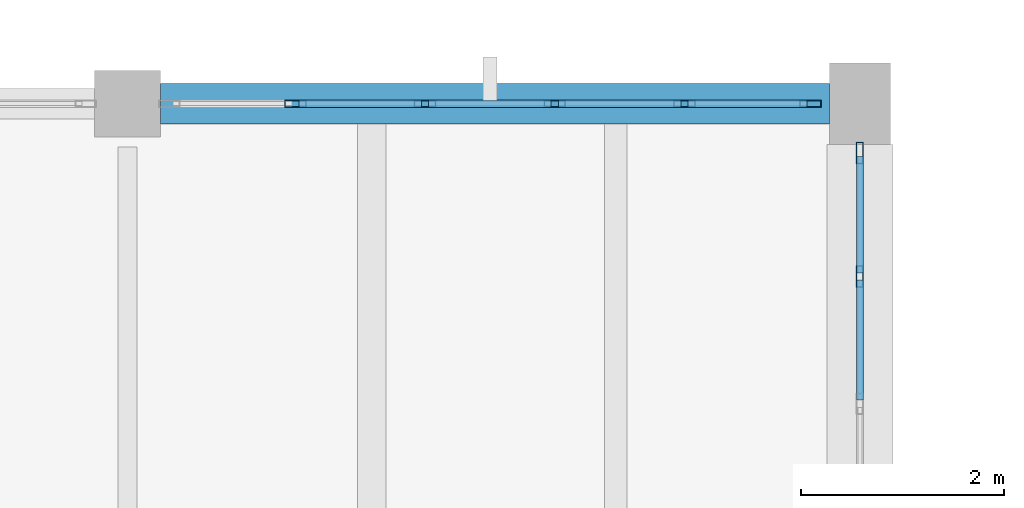
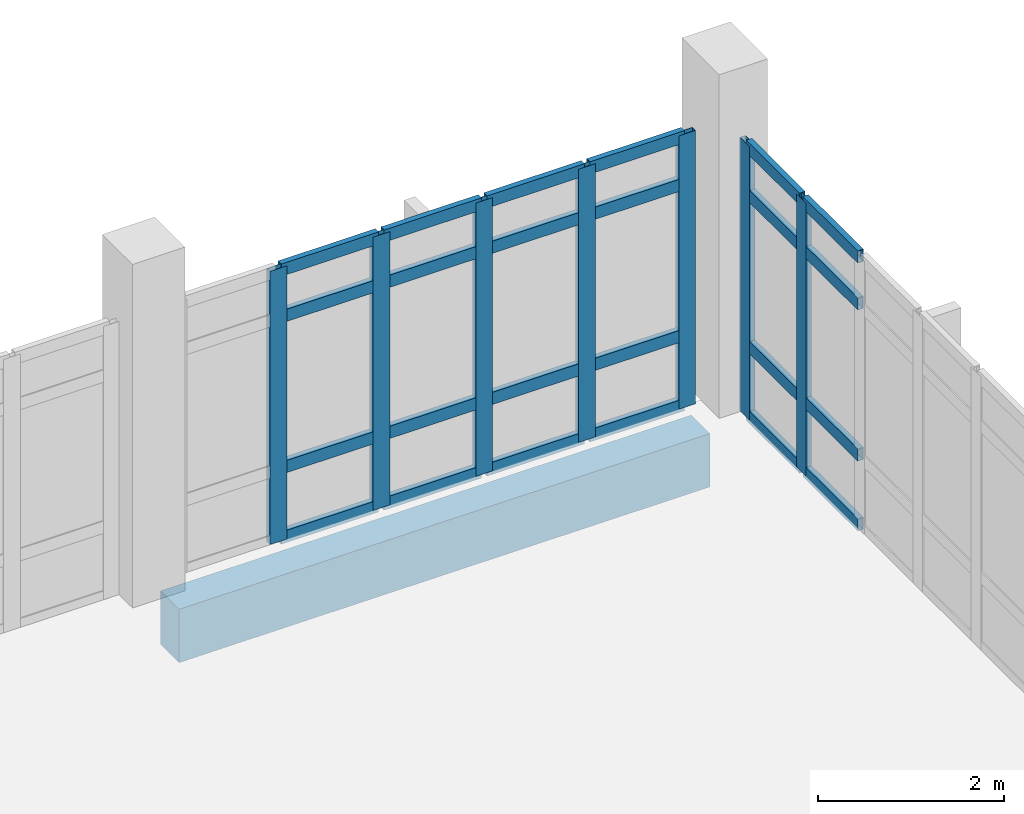
# One storey, part 79 of 124: 31 members, 1 beam, 2 elements without a shape of their own.
"""IFC4 building model written with IfcOpenShell, lengths in metres."""

from ifc_helpers import new_model, si_unit, direction, frame, origin, origin_2d, place, context, subcontext, project, spatial, rectangle, hollow_rectangle, extrude, material, material_profile, profile_set, type_object, element, aggregate, save


model = new_model("IFC4")

# Units and contexts
model_context = context("Model", 3, precision=1e-05, world=origin(), true_north=direction((0.0, 1.0)))
body_context = subcontext(model_context, "Body", "Model", "MODEL_VIEW")
ifc_project = project(units=[si_unit("LENGTHUNIT", "METRE"), si_unit("AREAUNIT", "SQUARE_METRE"), si_unit("VOLUMEUNIT", "CUBIC_METRE"), si_unit("PLANEANGLEUNIT", "RADIAN"), si_unit("MASSUNIT", "GRAM", prefix="KILO")], contexts=[model_context])

# Site, building, storey
site_placement = place(None, origin())
site = spatial("IfcSite", under=ifc_project, at=site_placement, CompositionType="ELEMENT")
building_placement = place(site_placement, origin())
building = spatial("IfcBuilding", under=site, at=building_placement, Name="Kalluvel Institute of Natural Sciences", CompositionType="ELEMENT")
storey_placement = place(building_placement, frame((0.0, 0.0, 9.89990234375)))
storey = spatial("IfcBuildingStorey", under=building, at=storey_placement, Name="L02", CompositionType="ELEMENT", Elevation=9.89990234375)

# Curtain wall, members
ifc_material_1 = material(Name="Aluminium AW-6063 T6", Category="aluminium")
curtain_wall_type = type_object("IfcCurtainWallType", Name="CW-WET-45", PredefinedType="USERDEFINED", material=ifc_material_1)
curtain_wall_1_placement = place(storey_placement, origin())
curtain_wall_1 = element("IfcCurtainWall", 1, at=curtain_wall_1_placement, inside=storey, type_object=curtain_wall_type, Name="L02 Gothic lancet curtain wall CWA-L02-X1080-Y1280", ObjectType="UNITISED LANCET FACADE", PredefinedType="USERDEFINED")
ifc_material_profile_1 = material_profile(ifc_material_1, hollow_rectangle(XDim=0.070068359375, YDim=0.2099609375, WallThickness=0.0048828125, at=origin_2d()), Name="CWM 70x210")
ifc_profile_set_1 = profile_set([ifc_material_profile_1], Name="Aluminium AW-6063 T6")
member_type_1 = type_object("IfcMemberType", Name="CWM-70x210", PredefinedType="MULLION", material=ifc_profile_set_1)
member_1_placement = place(storey_placement, frame((109.25, 128.0, 0.0), z_axis=(0.0, 0.0, 1.0), x_axis=(0.0, 1.0, 0.0)))
member_1 = element("IfcMember", 2, at=member_1_placement, type_object=member_type_1, Name="CW-01 mullion 2", PredefinedType="MULLION", context=body_context, shape_type="SweptSolid", body=[
    extrude(hollow_rectangle(XDim=0.070068359375, YDim=0.2099609375, WallThickness=0.0048828125, at=origin_2d()), origin(), (0.0, 0.0, 1.0), 3.580078125),
])
member_2_placement = place(storey_placement, frame((110.52490234375, 128.0, 0.0), z_axis=(0.0, 0.0, 1.0), x_axis=(0.0, 1.0, 0.0)))
member_2 = element("IfcMember", 3, at=member_2_placement, type_object=member_type_1, Name="CW-01 mullion 3", PredefinedType="MULLION", context=body_context, shape_type="SweptSolid", body=[
    extrude(hollow_rectangle(XDim=0.070068359375, YDim=0.2099609375, WallThickness=0.0048828125, at=origin_2d()), origin(), (0.0, 0.0, 1.0), 3.580078125),
])
member_3_placement = place(storey_placement, frame((111.800048828125, 128.0, 0.0), z_axis=(0.0, 0.0, 1.0), x_axis=(0.0, 1.0, 0.0)))
member_3 = element("IfcMember", 4, at=member_3_placement, type_object=member_type_1, Name="CW-01 mullion 4", PredefinedType="MULLION", context=body_context, shape_type="SweptSolid", body=[
    extrude(hollow_rectangle(XDim=0.070068359375, YDim=0.2099609375, WallThickness=0.0048828125, at=origin_2d()), origin(), (0.0, 0.0, 1.0), 3.580078125),
])
member_4_placement = place(storey_placement, frame((113.074951171875, 128.0, 0.0), z_axis=(0.0, 0.0, 1.0), x_axis=(0.0, 1.0, 0.0)))
member_4 = element("IfcMember", 5, at=member_4_placement, type_object=member_type_1, Name="CW-01 mullion 5", PredefinedType="MULLION", context=body_context, shape_type="SweptSolid", body=[
    extrude(hollow_rectangle(XDim=0.070068359375, YDim=0.2099609375, WallThickness=0.0048828125, at=origin_2d()), origin(), (0.0, 0.0, 1.0), 3.580078125),
])
member_5_placement = place(storey_placement, frame((114.31494140625, 128.0, 0.0), z_axis=(0.0, 0.0, 1.0), x_axis=(0.0, 1.0, 0.0)))
member_5 = element("IfcMember", 6, at=member_5_placement, type_object=member_type_1, Name="CW-01 mullion 6", PredefinedType="MULLION", context=body_context, shape_type="SweptSolid", body=[
    extrude(hollow_rectangle(XDim=0.070068359375, YDim=0.2099609375, WallThickness=0.0048828125, at=origin_2d()), origin(), (0.0, 0.0, 1.0), 3.580078125),
])

curtain_wall_2_placement = place(storey_placement, origin())
curtain_wall_2 = element("IfcCurtainWall", 7, at=curtain_wall_2_placement, inside=storey, type_object=curtain_wall_type, Name="L02 Gothic lancet curtain wall CWA-L02-X1148-Y1200", ObjectType="UNITISED LANCET FACADE", PredefinedType="USERDEFINED")
member_6_placement = place(storey_placement, frame((114.800048828125, 126.300048828125, 0.0), z_axis=(0.0, 0.0, 1.0), x_axis=(-1.0, 0.0, 0.0)))
member_6 = element("IfcMember", 8, at=member_6_placement, type_object=member_type_1, Name="CW-01 mullion 6", PredefinedType="MULLION", context=body_context, shape_type="SweptSolid", body=[
    extrude(hollow_rectangle(XDim=0.070068359375, YDim=0.2099609375, WallThickness=0.0048828125, at=origin_2d()), origin(), (0.0, 0.0, 1.0), 3.580078125),
])
member_7_placement = place(storey_placement, frame((114.800048828125, 127.514892578125, 0.0), z_axis=(0.0, 0.0, 1.0), x_axis=(-1.0, 0.0, 0.0)))
member_7 = element("IfcMember", 9, at=member_7_placement, type_object=member_type_1, Name="CW-01 mullion 7", PredefinedType="MULLION", context=body_context, shape_type="SweptSolid", body=[
    extrude(hollow_rectangle(XDim=0.070068359375, YDim=0.2099609375, WallThickness=0.0048828125, at=origin_2d()), origin(), (0.0, 0.0, 1.0), 3.580078125),
])

# Member
ifc_material_profile_2 = material_profile(ifc_material_1, hollow_rectangle(XDim=0.070068359375, YDim=0.159912109375, WallThickness=0.0048828125, at=origin_2d()), Name="CWT 70x160")
ifc_profile_set_2 = profile_set([ifc_material_profile_2], Name="Aluminium AW-6063 T6")
member_type_2 = type_object("IfcMemberType", Name="CWT-70x160", PredefinedType="USERDEFINED", material=ifc_profile_set_2)
member_8_placement = place(storey_placement, frame((109.284912109375, 128.0, 0.03515625), z_axis=(1.0, 0.0, 0.0), x_axis=(0.0, 1.0, 0.0)))
member_8 = element("IfcMember", 10, at=member_8_placement, type_object=member_type_2, Name="CW-01 transom 2.1", ObjectType="TRANSOM", PredefinedType="USERDEFINED", context=body_context, shape_type="SweptSolid", body=[
    extrude(hollow_rectangle(XDim=0.070068359375, YDim=0.159912109375, WallThickness=0.0048828125, at=origin_2d()), origin(), (0.0, 0.0, 1.0), 1.205078125),
])

member_9_placement = place(storey_placement, frame((109.284912109375, 128.0, 0.9501953125), z_axis=(1.0, 0.0, 0.0), x_axis=(0.0, 1.0, 0.0)))
member_9 = element("IfcMember", 11, at=member_9_placement, type_object=member_type_2, Name="CW-01 transom 2.2", ObjectType="TRANSOM", PredefinedType="USERDEFINED", context=body_context, shape_type="SweptSolid", body=[
    extrude(hollow_rectangle(XDim=0.070068359375, YDim=0.159912109375, WallThickness=0.0048828125, at=origin_2d()), origin(), (0.0, 0.0, 1.0), 1.205078125),
])

member_10_placement = place(storey_placement, frame((109.284912109375, 128.0, 2.93017578125), z_axis=(1.0, 0.0, 0.0), x_axis=(0.0, 1.0, 0.0)))
member_10 = element("IfcMember", 12, at=member_10_placement, type_object=member_type_2, Name="CW-01 transom 2.3", ObjectType="TRANSOM", PredefinedType="USERDEFINED", context=body_context, shape_type="SweptSolid", body=[
    extrude(hollow_rectangle(XDim=0.070068359375, YDim=0.159912109375, WallThickness=0.0048828125, at=origin_2d()), origin(), (0.0, 0.0, 1.0), 1.205078125),
])

member_11_placement = place(storey_placement, frame((109.284912109375, 128.0, 3.545166015625), z_axis=(1.0, 0.0, 0.0), x_axis=(0.0, 1.0, 0.0)))
member_11 = element("IfcMember", 13, at=member_11_placement, type_object=member_type_2, Name="CW-01 transom 2.4", ObjectType="TRANSOM", PredefinedType="USERDEFINED", context=body_context, shape_type="SweptSolid", body=[
    extrude(hollow_rectangle(XDim=0.070068359375, YDim=0.159912109375, WallThickness=0.0048828125, at=origin_2d()), origin(), (0.0, 0.0, 1.0), 1.205078125),
])

member_12_placement = place(storey_placement, frame((110.56005859375, 128.0, 0.03515625), z_axis=(1.0, 0.0, 0.0), x_axis=(0.0, 1.0, 0.0)))
member_12 = element("IfcMember", 14, at=member_12_placement, type_object=member_type_2, Name="CW-01 transom 3.1", ObjectType="TRANSOM", PredefinedType="USERDEFINED", context=body_context, shape_type="SweptSolid", body=[
    extrude(hollow_rectangle(XDim=0.070068359375, YDim=0.159912109375, WallThickness=0.0048828125, at=origin_2d()), origin(), (0.0, 0.0, 1.0), 1.204833984375),
])

member_13_placement = place(storey_placement, frame((110.56005859375, 128.0, 0.9501953125), z_axis=(1.0, 0.0, 0.0), x_axis=(0.0, 1.0, 0.0)))
member_13 = element("IfcMember", 15, at=member_13_placement, type_object=member_type_2, Name="CW-01 transom 3.2", ObjectType="TRANSOM", PredefinedType="USERDEFINED", context=body_context, shape_type="SweptSolid", body=[
    extrude(hollow_rectangle(XDim=0.070068359375, YDim=0.159912109375, WallThickness=0.0048828125, at=origin_2d()), origin(), (0.0, 0.0, 1.0), 1.204833984375),
])

member_14_placement = place(storey_placement, frame((110.56005859375, 128.0, 2.93017578125), z_axis=(1.0, 0.0, 0.0), x_axis=(0.0, 1.0, 0.0)))
member_14 = element("IfcMember", 16, at=member_14_placement, type_object=member_type_2, Name="CW-01 transom 3.3", ObjectType="TRANSOM", PredefinedType="USERDEFINED", context=body_context, shape_type="SweptSolid", body=[
    extrude(hollow_rectangle(XDim=0.070068359375, YDim=0.159912109375, WallThickness=0.0048828125, at=origin_2d()), origin(), (0.0, 0.0, 1.0), 1.204833984375),
])

member_15_placement = place(storey_placement, frame((110.56005859375, 128.0, 3.545166015625), z_axis=(1.0, 0.0, 0.0), x_axis=(0.0, 1.0, 0.0)))
member_15 = element("IfcMember", 17, at=member_15_placement, type_object=member_type_2, Name="CW-01 transom 3.4", ObjectType="TRANSOM", PredefinedType="USERDEFINED", context=body_context, shape_type="SweptSolid", body=[
    extrude(hollow_rectangle(XDim=0.070068359375, YDim=0.159912109375, WallThickness=0.0048828125, at=origin_2d()), origin(), (0.0, 0.0, 1.0), 1.204833984375),
])

member_16_placement = place(storey_placement, frame((111.8349609375, 128.0, 0.03515625), z_axis=(1.0, 0.0, 0.0), x_axis=(0.0, 1.0, 0.0)))
member_16 = element("IfcMember", 18, at=member_16_placement, type_object=member_type_2, Name="CW-01 transom 4.1", ObjectType="TRANSOM", PredefinedType="USERDEFINED", context=body_context, shape_type="SweptSolid", body=[
    extrude(hollow_rectangle(XDim=0.070068359375, YDim=0.159912109375, WallThickness=0.0048828125, at=origin_2d()), origin(), (0.0, 0.0, 1.0), 1.205078125),
])

member_17_placement = place(storey_placement, frame((111.8349609375, 128.0, 0.9501953125), z_axis=(1.0, 0.0, 0.0), x_axis=(0.0, 1.0, 0.0)))
member_17 = element("IfcMember", 19, at=member_17_placement, type_object=member_type_2, Name="CW-01 transom 4.2", ObjectType="TRANSOM", PredefinedType="USERDEFINED", context=body_context, shape_type="SweptSolid", body=[
    extrude(hollow_rectangle(XDim=0.070068359375, YDim=0.159912109375, WallThickness=0.0048828125, at=origin_2d()), origin(), (0.0, 0.0, 1.0), 1.205078125),
])

member_18_placement = place(storey_placement, frame((111.8349609375, 128.0, 2.93017578125), z_axis=(1.0, 0.0, 0.0), x_axis=(0.0, 1.0, 0.0)))
member_18 = element("IfcMember", 20, at=member_18_placement, type_object=member_type_2, Name="CW-01 transom 4.3", ObjectType="TRANSOM", PredefinedType="USERDEFINED", context=body_context, shape_type="SweptSolid", body=[
    extrude(hollow_rectangle(XDim=0.070068359375, YDim=0.159912109375, WallThickness=0.0048828125, at=origin_2d()), origin(), (0.0, 0.0, 1.0), 1.205078125),
])

member_19_placement = place(storey_placement, frame((111.8349609375, 128.0, 3.545166015625), z_axis=(1.0, 0.0, 0.0), x_axis=(0.0, 1.0, 0.0)))
member_19 = element("IfcMember", 21, at=member_19_placement, type_object=member_type_2, Name="CW-01 transom 4.4", ObjectType="TRANSOM", PredefinedType="USERDEFINED", context=body_context, shape_type="SweptSolid", body=[
    extrude(hollow_rectangle(XDim=0.070068359375, YDim=0.159912109375, WallThickness=0.0048828125, at=origin_2d()), origin(), (0.0, 0.0, 1.0), 1.205078125),
])

member_20_placement = place(storey_placement, frame((113.110107421875, 128.0, 0.03515625), z_axis=(1.0, 0.0, 0.0), x_axis=(0.0, 1.0, 0.0)))
member_20 = element("IfcMember", 22, at=member_20_placement, type_object=member_type_2, Name="CW-01 transom 5.1", ObjectType="TRANSOM", PredefinedType="USERDEFINED", context=body_context, shape_type="SweptSolid", body=[
    extrude(hollow_rectangle(XDim=0.070068359375, YDim=0.159912109375, WallThickness=0.0048828125, at=origin_2d()), origin(), (0.0, 0.0, 1.0), 1.169921875),
])

member_21_placement = place(storey_placement, frame((113.110107421875, 128.0, 0.9501953125), z_axis=(1.0, 0.0, 0.0), x_axis=(0.0, 1.0, 0.0)))
member_21 = element("IfcMember", 23, at=member_21_placement, type_object=member_type_2, Name="CW-01 transom 5.2", ObjectType="TRANSOM", PredefinedType="USERDEFINED", context=body_context, shape_type="SweptSolid", body=[
    extrude(hollow_rectangle(XDim=0.070068359375, YDim=0.159912109375, WallThickness=0.0048828125, at=origin_2d()), origin(), (0.0, 0.0, 1.0), 1.169921875),
])

member_22_placement = place(storey_placement, frame((113.110107421875, 128.0, 2.93017578125), z_axis=(1.0, 0.0, 0.0), x_axis=(0.0, 1.0, 0.0)))
member_22 = element("IfcMember", 24, at=member_22_placement, type_object=member_type_2, Name="CW-01 transom 5.3", ObjectType="TRANSOM", PredefinedType="USERDEFINED", context=body_context, shape_type="SweptSolid", body=[
    extrude(hollow_rectangle(XDim=0.070068359375, YDim=0.159912109375, WallThickness=0.0048828125, at=origin_2d()), origin(), (0.0, 0.0, 1.0), 1.169921875),
])

member_23_placement = place(storey_placement, frame((113.110107421875, 128.0, 3.545166015625), z_axis=(1.0, 0.0, 0.0), x_axis=(0.0, 1.0, 0.0)))
member_23 = element("IfcMember", 25, at=member_23_placement, type_object=member_type_2, Name="CW-01 transom 5.4", ObjectType="TRANSOM", PredefinedType="USERDEFINED", context=body_context, shape_type="SweptSolid", body=[
    extrude(hollow_rectangle(XDim=0.070068359375, YDim=0.159912109375, WallThickness=0.0048828125, at=origin_2d()), origin(), (0.0, 0.0, 1.0), 1.169921875),
])

aggregate(curtain_wall_1, [member_1, member_2, member_3, member_4, member_5, member_8, member_9, member_10, member_11, member_12, member_13, member_14, member_15, member_16, member_17, member_18, member_19, member_20, member_21, member_22, member_23])

member_24_placement = place(storey_placement, frame((114.800048828125, 125.0849609375, 0.03515625), z_axis=(0.0, 1.0, 0.0), x_axis=(-1.0, 0.0, 0.0)))
member_24 = element("IfcMember", 26, at=member_24_placement, type_object=member_type_2, Name="CW-01 transom 5.1", ObjectType="TRANSOM", PredefinedType="USERDEFINED", context=body_context, shape_type="SweptSolid", body=[
    extrude(hollow_rectangle(XDim=0.070068359375, YDim=0.159912109375, WallThickness=0.0048828125, at=origin_2d()), origin(), (0.0, 0.0, 1.0), 1.179931640625),
])

member_25_placement = place(storey_placement, frame((114.800048828125, 125.0849609375, 0.9501953125), z_axis=(0.0, 1.0, 0.0), x_axis=(-1.0, 0.0, 0.0)))
member_25 = element("IfcMember", 27, at=member_25_placement, type_object=member_type_2, Name="CW-01 transom 5.2", ObjectType="TRANSOM", PredefinedType="USERDEFINED", context=body_context, shape_type="SweptSolid", body=[
    extrude(hollow_rectangle(XDim=0.070068359375, YDim=0.159912109375, WallThickness=0.0048828125, at=origin_2d()), origin(), (0.0, 0.0, 1.0), 1.179931640625),
])

member_26_placement = place(storey_placement, frame((114.800048828125, 125.0849609375, 2.93017578125), z_axis=(0.0, 1.0, 0.0), x_axis=(-1.0, 0.0, 0.0)))
member_26 = element("IfcMember", 28, at=member_26_placement, type_object=member_type_2, Name="CW-01 transom 5.3", ObjectType="TRANSOM", PredefinedType="USERDEFINED", context=body_context, shape_type="SweptSolid", body=[
    extrude(hollow_rectangle(XDim=0.070068359375, YDim=0.159912109375, WallThickness=0.0048828125, at=origin_2d()), origin(), (0.0, 0.0, 1.0), 1.179931640625),
])

member_27_placement = place(storey_placement, frame((114.800048828125, 125.0849609375, 3.545166015625), z_axis=(0.0, 1.0, 0.0), x_axis=(-1.0, 0.0, 0.0)))
member_27 = element("IfcMember", 29, at=member_27_placement, type_object=member_type_2, Name="CW-01 transom 5.4", ObjectType="TRANSOM", PredefinedType="USERDEFINED", context=body_context, shape_type="SweptSolid", body=[
    extrude(hollow_rectangle(XDim=0.070068359375, YDim=0.159912109375, WallThickness=0.0048828125, at=origin_2d()), origin(), (0.0, 0.0, 1.0), 1.179931640625),
])

member_28_placement = place(storey_placement, frame((114.800048828125, 126.3349609375, 0.03515625), z_axis=(0.0, 1.0, 0.0), x_axis=(-1.0, 0.0, 0.0)))
member_28 = element("IfcMember", 30, at=member_28_placement, type_object=member_type_2, Name="CW-01 transom 6.1", ObjectType="TRANSOM", PredefinedType="USERDEFINED", context=body_context, shape_type="SweptSolid", body=[
    extrude(hollow_rectangle(XDim=0.070068359375, YDim=0.159912109375, WallThickness=0.0048828125, at=origin_2d()), origin(), (0.0, 0.0, 1.0), 1.14501953125),
])

member_29_placement = place(storey_placement, frame((114.800048828125, 126.3349609375, 0.9501953125), z_axis=(0.0, 1.0, 0.0), x_axis=(-1.0, 0.0, 0.0)))
member_29 = element("IfcMember", 31, at=member_29_placement, type_object=member_type_2, Name="CW-01 transom 6.2", ObjectType="TRANSOM", PredefinedType="USERDEFINED", context=body_context, shape_type="SweptSolid", body=[
    extrude(hollow_rectangle(XDim=0.070068359375, YDim=0.159912109375, WallThickness=0.0048828125, at=origin_2d()), origin(), (0.0, 0.0, 1.0), 1.14501953125),
])

member_30_placement = place(storey_placement, frame((114.800048828125, 126.3349609375, 2.93017578125), z_axis=(0.0, 1.0, 0.0), x_axis=(-1.0, 0.0, 0.0)))
member_30 = element("IfcMember", 32, at=member_30_placement, type_object=member_type_2, Name="CW-01 transom 6.3", ObjectType="TRANSOM", PredefinedType="USERDEFINED", context=body_context, shape_type="SweptSolid", body=[
    extrude(hollow_rectangle(XDim=0.070068359375, YDim=0.159912109375, WallThickness=0.0048828125, at=origin_2d()), origin(), (0.0, 0.0, 1.0), 1.14501953125),
])

member_31_placement = place(storey_placement, frame((114.800048828125, 126.3349609375, 3.545166015625), z_axis=(0.0, 1.0, 0.0), x_axis=(-1.0, 0.0, 0.0)))
member_31 = element("IfcMember", 33, at=member_31_placement, type_object=member_type_2, Name="CW-01 transom 6.4", ObjectType="TRANSOM", PredefinedType="USERDEFINED", context=body_context, shape_type="SweptSolid", body=[
    extrude(hollow_rectangle(XDim=0.070068359375, YDim=0.159912109375, WallThickness=0.0048828125, at=origin_2d()), origin(), (0.0, 0.0, 1.0), 1.14501953125),
])

aggregate(curtain_wall_2, [member_6, member_7, member_24, member_25, member_26, member_27, member_28, member_29, member_30, member_31])

# Beam
ifc_material_2 = material(Name="Concrete M40", Category="concrete")
ifc_material_profile_3 = material_profile(ifc_material_2, rectangle(XDim=0.39990234375, YDim=0.699951171875, at=origin_2d()), Name="RCB 400x700")
ifc_profile_set_3 = profile_set([ifc_material_profile_3], Name="Concrete M40")
beam_type = type_object("IfcBeamType", Name="SP-RC400x700", PredefinedType="SPANDREL", material=ifc_profile_set_3)
beam_placement = place(storey_placement, frame((107.925048828125, 128.0, -0.669921875), z_axis=(1.0, 0.0, 0.0), x_axis=(0.0, 1.0, 0.0)))
element("IfcBeam", 34, at=beam_placement, inside=storey, type_object=beam_type, Name="L02 girder GIR-L02-EW-X1076-Y1280", PredefinedType="SPANDREL", context=body_context, shape_type="SweptSolid", body=[
    extrude(rectangle(XDim=0.39990234375, YDim=0.699951171875, at=origin_2d()), origin(), (0.0, 0.0, 1.0), 6.574951171875),
])

save(model, "model.ifc")
